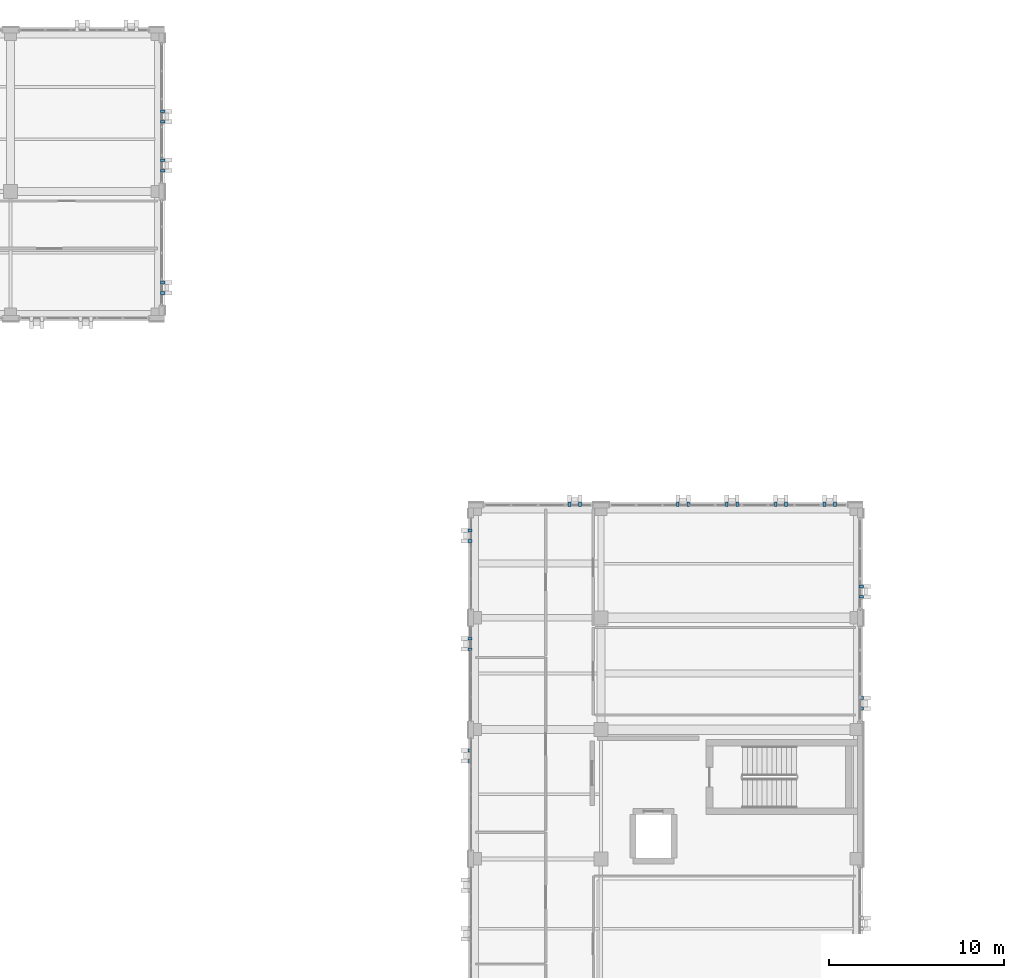
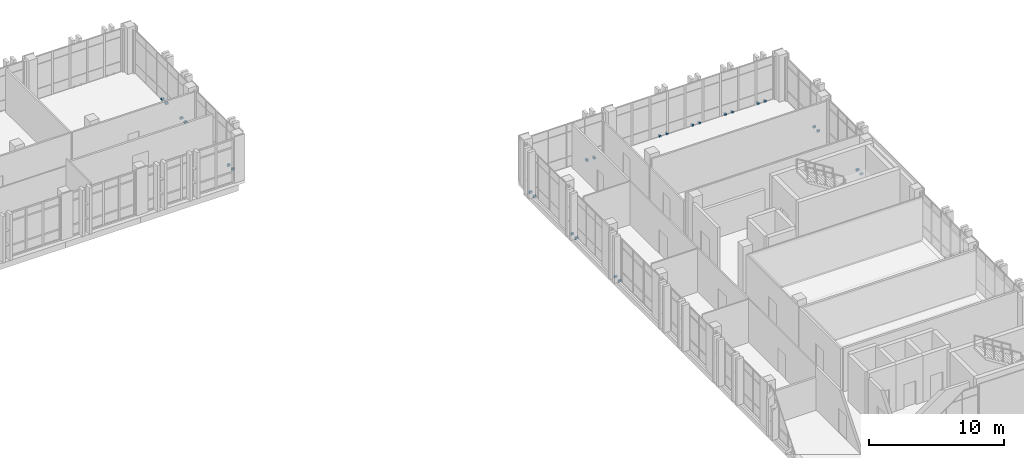
# One storey, part 170 of 193: 26 discrete accessories.
"""IFC4 building model written with IfcOpenShell, lengths in metres."""

from ifc_helpers import new_model, si_unit, direction, frame, origin, origin_2d, place, context, subcontext, project, spatial, rectangle, extrude, material, type_object, element, save


model = new_model("IFC4")

# Units and contexts
model_context = context("Model", 3, precision=1e-05, world=origin(), true_north=direction((0.0, 1.0)))
body_context = subcontext(model_context, "Body", "Model", "MODEL_VIEW")
ifc_project = project(units=[si_unit("LENGTHUNIT", "METRE"), si_unit("AREAUNIT", "SQUARE_METRE"), si_unit("VOLUMEUNIT", "CUBIC_METRE"), si_unit("PLANEANGLEUNIT", "RADIAN"), si_unit("MASSUNIT", "GRAM", prefix="KILO")], contexts=[model_context])

# Site, building, storey
site_placement = place(None, origin())
site = spatial("IfcSite", under=ifc_project, at=site_placement, CompositionType="ELEMENT")
building_placement = place(site_placement, origin())
building = spatial("IfcBuilding", under=site, at=building_placement, Name="Qalavern Law Courts", CompositionType="ELEMENT")
storey_placement = place(building_placement, frame((0.0, 0.0, 10.199951171875)))
storey = spatial("IfcBuildingStorey", under=building, at=storey_placement, Name="L02", CompositionType="ELEMENT", Elevation=10.199951171875)

# Discrete accessories
ifc_material = material(Name="Steel S355", Category="steel")
discrete_accessory_type = type_object("IfcDiscreteAccessoryType", Name="ENV-BRK-FIN", PredefinedType="BRACKET", material=ifc_material)
for number, where, z_axis, x_axis, name in (
    (1, (106.705078125, 74.0, -0.06982421875), (0.0, 0.0, 1.0), (1.0, 0.0, 0.0), "Stone blade anchor bracket 0591"),
    (2, (106.705078125, 74.60009765625, -0.06982421875), (0.0, 0.0, 1.0), (1.0, 0.0, 0.0), "Stone blade anchor bracket 0592"),
    (3, (106.705078125, 80.39990234375, -0.06982421875), (0.0, 0.0, 1.0), (1.0, 0.0, 0.0), "Stone blade anchor bracket 0593"),
    (4, (106.705078125, 81.0, -0.06982421875), (0.0, 0.0, 1.0), (1.0, 0.0, 0.0), "Stone blade anchor bracket 0594"),
    (5, (105.199951171875, 85.705078125, -0.06982421875), (0.0, 0.0, 1.0), (0.0, 1.0, 0.0), "Stone blade anchor bracket 0595"),
    (6, (104.60009765625, 85.705078125, -0.06982421875), (0.0, 0.0, 1.0), (0.0, 1.0, 0.0), "Stone blade anchor bracket 0596"),
    (7, (102.39990234375, 85.705078125, -0.06982421875), (0.0, 0.0, 1.0), (0.0, 1.0, 0.0), "Stone blade anchor bracket 0597"),
    (8, (101.800048828125, 85.705078125, -0.06982421875), (0.0, 0.0, 1.0), (0.0, 1.0, 0.0), "Stone blade anchor bracket 0598"),
    (9, (99.60009765625, 85.705078125, -0.06982421875), (0.0, 0.0, 1.0), (0.0, 1.0, 0.0), "Stone blade anchor bracket 0599"),
    (10, (99.0, 85.705078125, -0.06982421875), (0.0, 0.0, 1.0), (0.0, 1.0, 0.0), "Stone blade anchor bracket 0600"),
    (11, (96.800048828125, 85.705078125, -0.06982421875), (0.0, 0.0, 1.0), (0.0, 1.0, 0.0), "Stone blade anchor bracket 0601"),
    (12, (96.199951171875, 85.705078125, -0.06982421875), (0.0, 0.0, 1.0), (0.0, 1.0, 0.0), "Stone blade anchor bracket 0602"),
    (13, (90.60009765625, 85.705078125, -0.06982421875), (0.0, 0.0, 1.0), (0.0, 1.0, 0.0), "Stone blade anchor bracket 0603"),
    (14, (90.0, 85.705078125, -0.06982421875), (0.0, 0.0, 1.0), (0.0, 1.0, 0.0), "Stone blade anchor bracket 0604"),
    (15, (84.294921875, 84.199951171875, -0.06982421875), (0.0, 0.0, 1.0), (-1.0, 0.0, 0.0), "Stone blade anchor bracket 0605"),
    (16, (84.294921875, 83.60009765625, -0.06982421875), (0.0, 0.0, 1.0), (-1.0, 0.0, 0.0), "Stone blade anchor bracket 0606"),
    (17, (84.294921875, 78.0, -0.06982421875), (0.0, 0.0, 1.0), (-1.0, 0.0, 0.0), "Stone blade anchor bracket 0607"),
    (18, (84.294921875, 77.39990234375, -0.06982421875), (0.0, 0.0, 1.0), (-1.0, 0.0, 0.0), "Stone blade anchor bracket 0608"),
    (19, (84.294921875, 71.60009765625, -0.06982421875), (0.0, 0.0, 1.0), (-1.0, 0.0, 0.0), "Stone blade anchor bracket 0609"),
    (20, (84.294921875, 71.0, -0.06982421875), (0.0, 0.0, 1.0), (-1.0, 0.0, 0.0), "Stone blade anchor bracket 0610"),
    (21, (66.705078125, 97.800048828125, -0.06982421875), (0.0, 0.0, 1.0), (1.0, 0.0, 0.0), "Stone blade anchor bracket 0973"),
    (22, (66.705078125, 98.39990234375, -0.06982421875), (0.0, 0.0, 1.0), (1.0, 0.0, 0.0), "Stone blade anchor bracket 0974"),
    (23, (66.705078125, 104.800048828125, -0.06982421875), (0.0, 0.0, 1.0), (1.0, 0.0, 0.0), "Stone blade anchor bracket 0975"),
    (24, (66.705078125, 105.39990234375, -0.06982421875), (0.0, 0.0, 1.0), (1.0, 0.0, 0.0), "Stone blade anchor bracket 0976"),
    (25, (66.705078125, 107.60009765625, -0.06982421875), (0.0, 0.0, 1.0), (1.0, 0.0, 0.0), "Stone blade anchor bracket 0977"),
    (26, (66.705078125, 108.199951171875, -0.06982421875), (0.0, 0.0, 1.0), (1.0, 0.0, 0.0), "Stone blade anchor bracket 0978"),
):
    element("IfcDiscreteAccessory", number, at=place(storey_placement, frame(where, z_axis=z_axis, x_axis=x_axis)), inside=storey, type_object=discrete_accessory_type, Name=name, PredefinedType="BRACKET", context=body_context, shape_type="SweptSolid", body=[
        extrude(rectangle(XDim=0.239990234375, YDim=0.159912109375, at=origin_2d()), origin(), (0.0, 0.0, 1.0), 0.179931640625),
    ])

save(model, "model.ifc")
